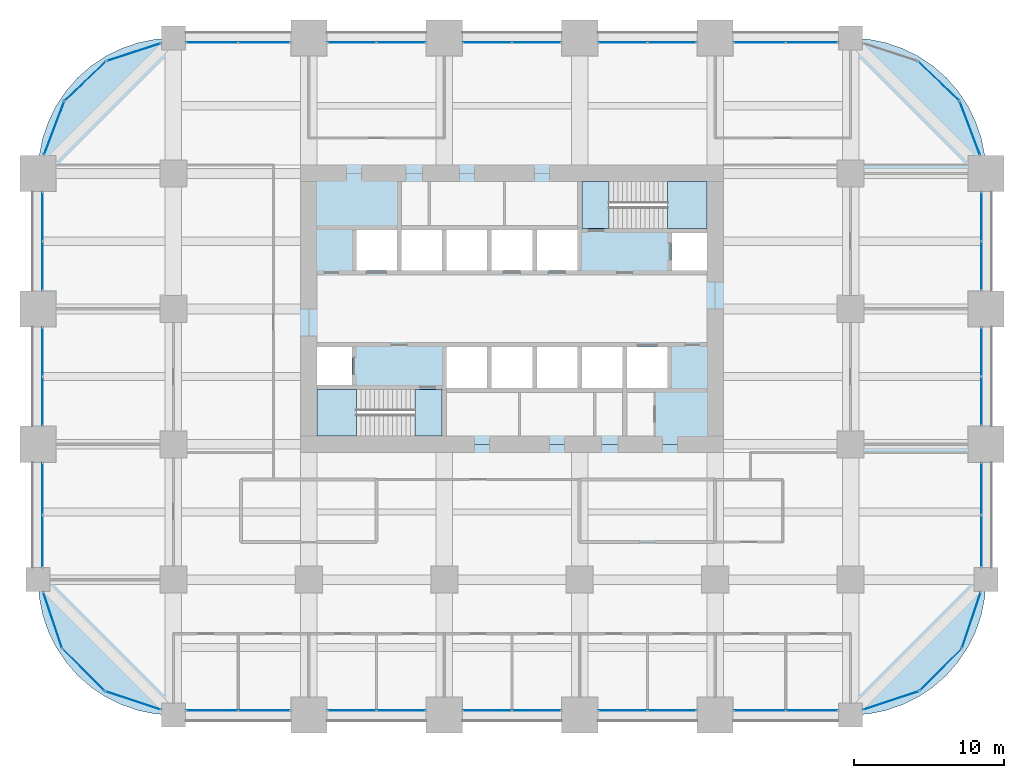
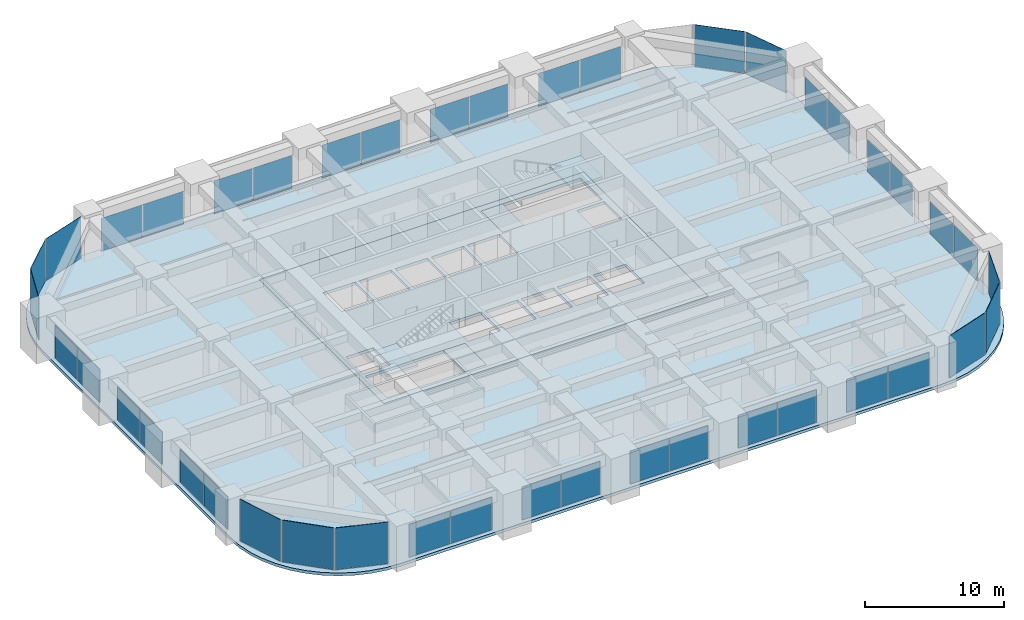
# One storey, part 35 of 40: 43 plates, 6 slabs, 29 elements without a shape of their own.
"""IFC4 building model written with IfcOpenShell, lengths in metres."""

from ifc_helpers import new_model, si_unit, direction, frame, origin, origin_2d, place, context, subcontext, project, spatial, polyline, rectangle, outline, extrude, material, layer, layer_set, type_object, element, aggregate, save


model = new_model("IFC4")

# Units and contexts
model_context = context("Model", 3, precision=1e-05, world=origin(), true_north=direction((0.0, 1.0)))
body_context = subcontext(model_context, "Body", "Model", "MODEL_VIEW")
ifc_project = project(units=[si_unit("LENGTHUNIT", "METRE"), si_unit("AREAUNIT", "SQUARE_METRE"), si_unit("VOLUMEUNIT", "CUBIC_METRE"), si_unit("PLANEANGLEUNIT", "RADIAN"), si_unit("MASSUNIT", "GRAM", prefix="KILO")], contexts=[model_context])

# Site, building, storey
site_placement = place(None, origin())
site = spatial("IfcSite", under=ifc_project, at=site_placement, CompositionType="ELEMENT")
building_placement = place(site_placement, origin())
building = spatial("IfcBuilding", under=site, at=building_placement, Name="Zorevar Civic Tower", CompositionType="ELEMENT")
storey_placement = place(building_placement, frame((0.0, 0.0, 129.0)))
storey = spatial("IfcBuildingStorey", under=building, at=storey_placement, Name="L31", CompositionType="ELEMENT", Elevation=129.0)

# Curtain wall, plates
ifc_material_1 = material(Name="Dark grey solar-control glass in black aluminium frame", Category="aluminium")
curtain_wall_type = type_object("IfcCurtainWallType", Name="Curtain wall CW3 mid zone", PredefinedType="NOTDEFINED", material=ifc_material_1)
curtain_wall_1_placement = place(storey_placement, origin())
curtain_wall_1 = element("IfcCurtainWall", 1, at=curtain_wall_1_placement, inside=storey, type_object=curtain_wall_type, Name="CW3 L31", PredefinedType="NOTDEFINED")
ifc_material_2 = material(Name="Dark grey solar-control glass", Category="glass")
ifc_layer_1 = layer(ifc_material_2, 0.030029296875)
ifc_layer_set_1 = layer_set([ifc_layer_1], Name="CW3 panel 30")
plate_type = type_object("IfcPlateType", Name="CW3 panel 30", PredefinedType="CURTAIN_PANEL", material=ifc_layer_set_1)
plate_1_placement = place(storey_placement, frame((11.56494140625, 0.300048828125, 0.06005859375), z_axis=(0.0, 0.0, 1.0), x_axis=(1.0, 0.0, 0.0)))
plate_1 = element("IfcPlate", 2, at=plate_1_placement, type_object=plate_type, Name="CW3 panel 1.1", PredefinedType="CURTAIN_PANEL", context=body_context, shape_type="SweptSolid", body=[
    extrude(rectangle(XDim=3.409912109375, YDim=0.030029296875, at=origin_2d()), origin(), (0.0, 0.0, 1.0), 2.889892578125),
])
plate_2_placement = place(storey_placement, frame((15.034912109375, 0.300048828125, 0.06005859375), z_axis=(0.0, 0.0, 1.0), x_axis=(1.0, 0.0, 0.0)))
plate_2 = element("IfcPlate", 3, at=plate_2_placement, type_object=plate_type, Name="CW3 panel 2.1", PredefinedType="CURTAIN_PANEL", context=body_context, shape_type="SweptSolid", body=[
    extrude(rectangle(XDim=3.409912109375, YDim=0.030029296875, at=origin_2d()), origin(), (0.0, 0.0, 1.0), 2.889892578125),
])
aggregate(curtain_wall_1, [plate_1, plate_2])

curtain_wall_2_placement = place(storey_placement, origin())
curtain_wall_2 = element("IfcCurtainWall", 4, at=curtain_wall_2_placement, inside=storey, type_object=curtain_wall_type, Name="CW3 L31", PredefinedType="NOTDEFINED")
plate_3_placement = place(storey_placement, frame((11.56494140625, 44.699951171875, 0.06005859375), z_axis=(0.0, 0.0, 1.0), x_axis=(1.0, 0.0, 0.0)))
plate_3 = element("IfcPlate", 5, at=plate_3_placement, type_object=plate_type, Name="CW3 panel 1.1", PredefinedType="CURTAIN_PANEL", context=body_context, shape_type="SweptSolid", body=[
    extrude(rectangle(XDim=3.409912109375, YDim=0.030029296875, at=origin_2d()), origin(), (0.0, 0.0, 1.0), 2.889892578125),
])
plate_4_placement = place(storey_placement, frame((15.034912109375, 44.699951171875, 0.06005859375), z_axis=(0.0, 0.0, 1.0), x_axis=(1.0, 0.0, 0.0)))
plate_4 = element("IfcPlate", 6, at=plate_4_placement, type_object=plate_type, Name="CW3 panel 2.1", PredefinedType="CURTAIN_PANEL", context=body_context, shape_type="SweptSolid", body=[
    extrude(rectangle(XDim=3.409912109375, YDim=0.030029296875, at=origin_2d()), origin(), (0.0, 0.0, 1.0), 2.889892578125),
])
aggregate(curtain_wall_2, [plate_3, plate_4])

curtain_wall_3_placement = place(storey_placement, origin())
curtain_wall_3 = element("IfcCurtainWall", 7, at=curtain_wall_3_placement, inside=storey, type_object=curtain_wall_type, Name="CW3 L31", PredefinedType="NOTDEFINED")
plate_5_placement = place(storey_placement, frame((20.864990234375, 0.300048828125, 0.06005859375), z_axis=(0.0, 0.0, 1.0), x_axis=(1.0, 0.0, 0.0)))
plate_5 = element("IfcPlate", 8, at=plate_5_placement, type_object=plate_type, Name="CW3 panel 1.1", PredefinedType="CURTAIN_PANEL", context=body_context, shape_type="SweptSolid", body=[
    extrude(rectangle(XDim=3.2099609375, YDim=0.030029296875, at=origin_2d()), origin(), (0.0, 0.0, 1.0), 2.889892578125),
])
plate_6_placement = place(storey_placement, frame((24.135009765625, 0.300048828125, 0.06005859375), z_axis=(0.0, 0.0, 1.0), x_axis=(1.0, 0.0, 0.0)))
plate_6 = element("IfcPlate", 9, at=plate_6_placement, type_object=plate_type, Name="CW3 panel 2.1", PredefinedType="CURTAIN_PANEL", context=body_context, shape_type="SweptSolid", body=[
    extrude(rectangle(XDim=3.2099609375, YDim=0.030029296875, at=origin_2d()), origin(), (0.0, 0.0, 1.0), 2.889892578125),
])
aggregate(curtain_wall_3, [plate_5, plate_6])

curtain_wall_4_placement = place(storey_placement, origin())
curtain_wall_4 = element("IfcCurtainWall", 10, at=curtain_wall_4_placement, inside=storey, type_object=curtain_wall_type, Name="CW3 L31", PredefinedType="NOTDEFINED")
plate_7_placement = place(storey_placement, frame((20.864990234375, 44.699951171875, 0.06005859375), z_axis=(0.0, 0.0, 1.0), x_axis=(1.0, 0.0, 0.0)))
plate_7 = element("IfcPlate", 11, at=plate_7_placement, type_object=plate_type, Name="CW3 panel 1.1", PredefinedType="CURTAIN_PANEL", context=body_context, shape_type="SweptSolid", body=[
    extrude(rectangle(XDim=3.2099609375, YDim=0.030029296875, at=origin_2d()), origin(), (0.0, 0.0, 1.0), 2.889892578125),
])
plate_8_placement = place(storey_placement, frame((24.135009765625, 44.699951171875, 0.06005859375), z_axis=(0.0, 0.0, 1.0), x_axis=(1.0, 0.0, 0.0)))
plate_8 = element("IfcPlate", 12, at=plate_8_placement, type_object=plate_type, Name="CW3 panel 2.1", PredefinedType="CURTAIN_PANEL", context=body_context, shape_type="SweptSolid", body=[
    extrude(rectangle(XDim=3.2099609375, YDim=0.030029296875, at=origin_2d()), origin(), (0.0, 0.0, 1.0), 2.889892578125),
])
aggregate(curtain_wall_4, [plate_7, plate_8])

curtain_wall_5_placement = place(storey_placement, origin())
curtain_wall_5 = element("IfcCurtainWall", 13, at=curtain_wall_5_placement, inside=storey, type_object=curtain_wall_type, Name="CW3 L31", PredefinedType="NOTDEFINED")
plate_9_placement = place(storey_placement, frame((29.864990234375, 0.300048828125, 0.06005859375), z_axis=(0.0, 0.0, 1.0), x_axis=(1.0, 0.0, 0.0)))
plate_9 = element("IfcPlate", 14, at=plate_9_placement, type_object=plate_type, Name="CW3 panel 1.1", PredefinedType="CURTAIN_PANEL", context=body_context, shape_type="SweptSolid", body=[
    extrude(rectangle(XDim=3.2099609375, YDim=0.030029296875, at=origin_2d()), origin(), (0.0, 0.0, 1.0), 2.889892578125),
])
plate_10_placement = place(storey_placement, frame((33.135009765625, 0.300048828125, 0.06005859375), z_axis=(0.0, 0.0, 1.0), x_axis=(1.0, 0.0, 0.0)))
plate_10 = element("IfcPlate", 15, at=plate_10_placement, type_object=plate_type, Name="CW3 panel 2.1", PredefinedType="CURTAIN_PANEL", context=body_context, shape_type="SweptSolid", body=[
    extrude(rectangle(XDim=3.2099609375, YDim=0.030029296875, at=origin_2d()), origin(), (0.0, 0.0, 1.0), 2.889892578125),
])
aggregate(curtain_wall_5, [plate_9, plate_10])

curtain_wall_6_placement = place(storey_placement, origin())
curtain_wall_6 = element("IfcCurtainWall", 16, at=curtain_wall_6_placement, inside=storey, type_object=curtain_wall_type, Name="CW3 L31", PredefinedType="NOTDEFINED")
plate_11_placement = place(storey_placement, frame((29.864990234375, 44.699951171875, 0.06005859375), z_axis=(0.0, 0.0, 1.0), x_axis=(1.0, 0.0, 0.0)))
plate_11 = element("IfcPlate", 17, at=plate_11_placement, type_object=plate_type, Name="CW3 panel 1.1", PredefinedType="CURTAIN_PANEL", context=body_context, shape_type="SweptSolid", body=[
    extrude(rectangle(XDim=3.2099609375, YDim=0.030029296875, at=origin_2d()), origin(), (0.0, 0.0, 1.0), 2.889892578125),
])
plate_12_placement = place(storey_placement, frame((33.135009765625, 44.699951171875, 0.06005859375), z_axis=(0.0, 0.0, 1.0), x_axis=(1.0, 0.0, 0.0)))
plate_12 = element("IfcPlate", 18, at=plate_12_placement, type_object=plate_type, Name="CW3 panel 2.1", PredefinedType="CURTAIN_PANEL", context=body_context, shape_type="SweptSolid", body=[
    extrude(rectangle(XDim=3.2099609375, YDim=0.030029296875, at=origin_2d()), origin(), (0.0, 0.0, 1.0), 2.889892578125),
])
aggregate(curtain_wall_6, [plate_11, plate_12])

curtain_wall_7_placement = place(storey_placement, origin())
curtain_wall_7 = element("IfcCurtainWall", 19, at=curtain_wall_7_placement, inside=storey, type_object=curtain_wall_type, Name="CW3 L31", PredefinedType="NOTDEFINED")
plate_13_placement = place(storey_placement, frame((38.864990234375, 0.300048828125, 0.06005859375), z_axis=(0.0, 0.0, 1.0), x_axis=(1.0, 0.0, 0.0)))
plate_13 = element("IfcPlate", 20, at=plate_13_placement, type_object=plate_type, Name="CW3 panel 1.1", PredefinedType="CURTAIN_PANEL", context=body_context, shape_type="SweptSolid", body=[
    extrude(rectangle(XDim=3.2099609375, YDim=0.030029296875, at=origin_2d()), origin(), (0.0, 0.0, 1.0), 2.889892578125),
])
plate_14_placement = place(storey_placement, frame((42.135009765625, 0.300048828125, 0.06005859375), z_axis=(0.0, 0.0, 1.0), x_axis=(1.0, 0.0, 0.0)))
plate_14 = element("IfcPlate", 21, at=plate_14_placement, type_object=plate_type, Name="CW3 panel 2.1", PredefinedType="CURTAIN_PANEL", context=body_context, shape_type="SweptSolid", body=[
    extrude(rectangle(XDim=3.2099609375, YDim=0.030029296875, at=origin_2d()), origin(), (0.0, 0.0, 1.0), 2.889892578125),
])
aggregate(curtain_wall_7, [plate_13, plate_14])

curtain_wall_8_placement = place(storey_placement, origin())
curtain_wall_8 = element("IfcCurtainWall", 22, at=curtain_wall_8_placement, inside=storey, type_object=curtain_wall_type, Name="CW3 L31", PredefinedType="NOTDEFINED")
plate_15_placement = place(storey_placement, frame((38.864990234375, 44.699951171875, 0.06005859375), z_axis=(0.0, 0.0, 1.0), x_axis=(1.0, 0.0, 0.0)))
plate_15 = element("IfcPlate", 23, at=plate_15_placement, type_object=plate_type, Name="CW3 panel 1.1", PredefinedType="CURTAIN_PANEL", context=body_context, shape_type="SweptSolid", body=[
    extrude(rectangle(XDim=3.2099609375, YDim=0.030029296875, at=origin_2d()), origin(), (0.0, 0.0, 1.0), 2.889892578125),
])
plate_16_placement = place(storey_placement, frame((42.135009765625, 44.699951171875, 0.06005859375), z_axis=(0.0, 0.0, 1.0), x_axis=(1.0, 0.0, 0.0)))
plate_16 = element("IfcPlate", 24, at=plate_16_placement, type_object=plate_type, Name="CW3 panel 2.1", PredefinedType="CURTAIN_PANEL", context=body_context, shape_type="SweptSolid", body=[
    extrude(rectangle(XDim=3.2099609375, YDim=0.030029296875, at=origin_2d()), origin(), (0.0, 0.0, 1.0), 2.889892578125),
])
aggregate(curtain_wall_8, [plate_15, plate_16])

curtain_wall_9_placement = place(storey_placement, origin())
curtain_wall_9 = element("IfcCurtainWall", 25, at=curtain_wall_9_placement, inside=storey, type_object=curtain_wall_type, Name="CW3 L31", PredefinedType="NOTDEFINED")
plate_17_placement = place(storey_placement, frame((47.965087890625, 0.300048828125, 0.06005859375), z_axis=(0.0, 0.0, 1.0), x_axis=(1.0, 0.0, 0.0)))
plate_17 = element("IfcPlate", 26, at=plate_17_placement, type_object=plate_type, Name="CW3 panel 1.1", PredefinedType="CURTAIN_PANEL", context=body_context, shape_type="SweptSolid", body=[
    extrude(rectangle(XDim=3.409912109375, YDim=0.030029296875, at=origin_2d()), origin(), (0.0, 0.0, 1.0), 2.889892578125),
])
plate_18_placement = place(storey_placement, frame((51.43505859375, 0.300048828125, 0.06005859375), z_axis=(0.0, 0.0, 1.0), x_axis=(1.0, 0.0, 0.0)))
plate_18 = element("IfcPlate", 27, at=plate_18_placement, type_object=plate_type, Name="CW3 panel 2.1", PredefinedType="CURTAIN_PANEL", context=body_context, shape_type="SweptSolid", body=[
    extrude(rectangle(XDim=3.409912109375, YDim=0.030029296875, at=origin_2d()), origin(), (0.0, 0.0, 1.0), 2.889892578125),
])
aggregate(curtain_wall_9, [plate_17, plate_18])

curtain_wall_10_placement = place(storey_placement, origin())
curtain_wall_10 = element("IfcCurtainWall", 28, at=curtain_wall_10_placement, inside=storey, type_object=curtain_wall_type, Name="CW3 L31", PredefinedType="NOTDEFINED")
plate_19_placement = place(storey_placement, frame((47.965087890625, 44.699951171875, 0.06005859375), z_axis=(0.0, 0.0, 1.0), x_axis=(1.0, 0.0, 0.0)))
plate_19 = element("IfcPlate", 29, at=plate_19_placement, type_object=plate_type, Name="CW3 panel 1.1", PredefinedType="CURTAIN_PANEL", context=body_context, shape_type="SweptSolid", body=[
    extrude(rectangle(XDim=3.409912109375, YDim=0.030029296875, at=origin_2d()), origin(), (0.0, 0.0, 1.0), 2.889892578125),
])
plate_20_placement = place(storey_placement, frame((51.43505859375, 44.699951171875, 0.06005859375), z_axis=(0.0, 0.0, 1.0), x_axis=(1.0, 0.0, 0.0)))
plate_20 = element("IfcPlate", 30, at=plate_20_placement, type_object=plate_type, Name="CW3 panel 2.1", PredefinedType="CURTAIN_PANEL", context=body_context, shape_type="SweptSolid", body=[
    extrude(rectangle(XDim=3.409912109375, YDim=0.030029296875, at=origin_2d()), origin(), (0.0, 0.0, 1.0), 2.889892578125),
])
aggregate(curtain_wall_10, [plate_19, plate_20])

curtain_wall_11_placement = place(storey_placement, origin())
curtain_wall_11 = element("IfcCurtainWall", 31, at=curtain_wall_11_placement, inside=storey, type_object=curtain_wall_type, Name="CW3 L31", PredefinedType="NOTDEFINED")
plate_21_placement = place(storey_placement, frame((0.300048828125, 11.56494140625, 0.06005859375), z_axis=(0.0, 0.0, 1.0), x_axis=(0.0, 1.0, 0.0)))
plate_21 = element("IfcPlate", 32, at=plate_21_placement, type_object=plate_type, Name="CW3 panel 1.1", PredefinedType="CURTAIN_PANEL", context=body_context, shape_type="SweptSolid", body=[
    extrude(rectangle(XDim=3.409912109375, YDim=0.030029296875, at=origin_2d()), origin(), (0.0, 0.0, 1.0), 2.889892578125),
])
plate_22_placement = place(storey_placement, frame((0.300048828125, 15.034912109375, 0.06005859375), z_axis=(0.0, 0.0, 1.0), x_axis=(0.0, 1.0, 0.0)))
plate_22 = element("IfcPlate", 33, at=plate_22_placement, type_object=plate_type, Name="CW3 panel 2.1", PredefinedType="CURTAIN_PANEL", context=body_context, shape_type="SweptSolid", body=[
    extrude(rectangle(XDim=3.409912109375, YDim=0.030029296875, at=origin_2d()), origin(), (0.0, 0.0, 1.0), 2.889892578125),
])
aggregate(curtain_wall_11, [plate_21, plate_22])

curtain_wall_12_placement = place(storey_placement, origin())
curtain_wall_12 = element("IfcCurtainWall", 34, at=curtain_wall_12_placement, inside=storey, type_object=curtain_wall_type, Name="CW3 L31", PredefinedType="NOTDEFINED")
plate_23_placement = place(storey_placement, frame((62.699951171875, 11.56494140625, 0.06005859375), z_axis=(0.0, 0.0, 1.0), x_axis=(0.0, 1.0, 0.0)))
plate_23 = element("IfcPlate", 35, at=plate_23_placement, type_object=plate_type, Name="CW3 panel 1.1", PredefinedType="CURTAIN_PANEL", context=body_context, shape_type="SweptSolid", body=[
    extrude(rectangle(XDim=3.409912109375, YDim=0.030029296875, at=origin_2d()), origin(), (0.0, 0.0, 1.0), 2.889892578125),
])
plate_24_placement = place(storey_placement, frame((62.699951171875, 15.034912109375, 0.06005859375), z_axis=(0.0, 0.0, 1.0), x_axis=(0.0, 1.0, 0.0)))
plate_24 = element("IfcPlate", 36, at=plate_24_placement, type_object=plate_type, Name="CW3 panel 2.1", PredefinedType="CURTAIN_PANEL", context=body_context, shape_type="SweptSolid", body=[
    extrude(rectangle(XDim=3.409912109375, YDim=0.030029296875, at=origin_2d()), origin(), (0.0, 0.0, 1.0), 2.889892578125),
])
aggregate(curtain_wall_12, [plate_23, plate_24])

curtain_wall_13_placement = place(storey_placement, origin())
curtain_wall_13 = element("IfcCurtainWall", 37, at=curtain_wall_13_placement, inside=storey, type_object=curtain_wall_type, Name="CW3 L31", PredefinedType="NOTDEFINED")
plate_25_placement = place(storey_placement, frame((0.300048828125, 20.864990234375, 0.06005859375), z_axis=(0.0, 0.0, 1.0), x_axis=(0.0, 1.0, 0.0)))
plate_25 = element("IfcPlate", 38, at=plate_25_placement, type_object=plate_type, Name="CW3 panel 1.1", PredefinedType="CURTAIN_PANEL", context=body_context, shape_type="SweptSolid", body=[
    extrude(rectangle(XDim=3.2099609375, YDim=0.030029296875, at=origin_2d()), origin(), (0.0, 0.0, 1.0), 2.889892578125),
])
plate_26_placement = place(storey_placement, frame((0.300048828125, 24.135009765625, 0.06005859375), z_axis=(0.0, 0.0, 1.0), x_axis=(0.0, 1.0, 0.0)))
plate_26 = element("IfcPlate", 39, at=plate_26_placement, type_object=plate_type, Name="CW3 panel 2.1", PredefinedType="CURTAIN_PANEL", context=body_context, shape_type="SweptSolid", body=[
    extrude(rectangle(XDim=3.2099609375, YDim=0.030029296875, at=origin_2d()), origin(), (0.0, 0.0, 1.0), 2.889892578125),
])
aggregate(curtain_wall_13, [plate_25, plate_26])

curtain_wall_14_placement = place(storey_placement, origin())
curtain_wall_14 = element("IfcCurtainWall", 40, at=curtain_wall_14_placement, inside=storey, type_object=curtain_wall_type, Name="CW3 L31", PredefinedType="NOTDEFINED")
plate_27_placement = place(storey_placement, frame((62.699951171875, 20.864990234375, 0.06005859375), z_axis=(0.0, 0.0, 1.0), x_axis=(0.0, 1.0, 0.0)))
plate_27 = element("IfcPlate", 41, at=plate_27_placement, type_object=plate_type, Name="CW3 panel 1.1", PredefinedType="CURTAIN_PANEL", context=body_context, shape_type="SweptSolid", body=[
    extrude(rectangle(XDim=3.2099609375, YDim=0.030029296875, at=origin_2d()), origin(), (0.0, 0.0, 1.0), 2.889892578125),
])
plate_28_placement = place(storey_placement, frame((62.699951171875, 24.135009765625, 0.06005859375), z_axis=(0.0, 0.0, 1.0), x_axis=(0.0, 1.0, 0.0)))
plate_28 = element("IfcPlate", 42, at=plate_28_placement, type_object=plate_type, Name="CW3 panel 2.1", PredefinedType="CURTAIN_PANEL", context=body_context, shape_type="SweptSolid", body=[
    extrude(rectangle(XDim=3.2099609375, YDim=0.030029296875, at=origin_2d()), origin(), (0.0, 0.0, 1.0), 2.889892578125),
])
aggregate(curtain_wall_14, [plate_27, plate_28])

curtain_wall_15_placement = place(storey_placement, origin())
curtain_wall_15 = element("IfcCurtainWall", 43, at=curtain_wall_15_placement, inside=storey, type_object=curtain_wall_type, Name="CW3 L31", PredefinedType="NOTDEFINED")
plate_29_placement = place(storey_placement, frame((0.300048828125, 29.864990234375, 0.06005859375), z_axis=(0.0, 0.0, 1.0), x_axis=(0.0, 1.0, 0.0)))
plate_29 = element("IfcPlate", 44, at=plate_29_placement, type_object=plate_type, Name="CW3 panel 1.1", PredefinedType="CURTAIN_PANEL", context=body_context, shape_type="SweptSolid", body=[
    extrude(rectangle(XDim=3.2099609375, YDim=0.030029296875, at=origin_2d()), origin(), (0.0, 0.0, 1.0), 2.889892578125),
])
plate_30_placement = place(storey_placement, frame((0.300048828125, 33.135009765625, 0.06005859375), z_axis=(0.0, 0.0, 1.0), x_axis=(0.0, 1.0, 0.0)))
plate_30 = element("IfcPlate", 45, at=plate_30_placement, type_object=plate_type, Name="CW3 panel 2.1", PredefinedType="CURTAIN_PANEL", context=body_context, shape_type="SweptSolid", body=[
    extrude(rectangle(XDim=3.2099609375, YDim=0.030029296875, at=origin_2d()), origin(), (0.0, 0.0, 1.0), 2.889892578125),
])
aggregate(curtain_wall_15, [plate_29, plate_30])

curtain_wall_16_placement = place(storey_placement, origin())
curtain_wall_16 = element("IfcCurtainWall", 46, at=curtain_wall_16_placement, inside=storey, type_object=curtain_wall_type, Name="CW3 L31", PredefinedType="NOTDEFINED")
plate_31_placement = place(storey_placement, frame((62.699951171875, 29.864990234375, 0.06005859375), z_axis=(0.0, 0.0, 1.0), x_axis=(0.0, 1.0, 0.0)))
plate_31 = element("IfcPlate", 47, at=plate_31_placement, type_object=plate_type, Name="CW3 panel 1.1", PredefinedType="CURTAIN_PANEL", context=body_context, shape_type="SweptSolid", body=[
    extrude(rectangle(XDim=3.2099609375, YDim=0.030029296875, at=origin_2d()), origin(), (0.0, 0.0, 1.0), 2.889892578125),
])
plate_32_placement = place(storey_placement, frame((62.699951171875, 33.135009765625, 0.06005859375), z_axis=(0.0, 0.0, 1.0), x_axis=(0.0, 1.0, 0.0)))
plate_32 = element("IfcPlate", 48, at=plate_32_placement, type_object=plate_type, Name="CW3 panel 2.1", PredefinedType="CURTAIN_PANEL", context=body_context, shape_type="SweptSolid", body=[
    extrude(rectangle(XDim=3.2099609375, YDim=0.030029296875, at=origin_2d()), origin(), (0.0, 0.0, 1.0), 2.889892578125),
])
aggregate(curtain_wall_16, [plate_31, plate_32])

# Curtain wall, plate
curtain_wall_17_placement = place(storey_placement, origin())
curtain_wall_17 = element("IfcCurtainWall", 49, at=curtain_wall_17_placement, inside=storey, type_object=curtain_wall_type, Name="CW3 L31", PredefinedType="NOTDEFINED")
plate_33_placement = place(storey_placement, frame((56.689453125, 0.9697265625, 0.06005859375), z_axis=(0.0, 0.0, 1.0), x_axis=(0.948227238701, 0.317592669603, 0.0)))
plate_33 = element("IfcPlate", 50, at=plate_33_placement, type_object=plate_type, Name="CW3 panel 1.1", PredefinedType="CURTAIN_PANEL", context=body_context, shape_type="SweptSolid", body=[
    extrude(rectangle(XDim=3.865478515625, YDim=0.030029296875, at=origin_2d()), origin(), (0.0, 0.0, 1.0), 3.68994140625),
])
aggregate(curtain_wall_17, [plate_33])

curtain_wall_18_placement = place(storey_placement, origin())
curtain_wall_18 = element("IfcCurtainWall", 51, at=curtain_wall_18_placement, inside=storey, type_object=curtain_wall_type, Name="CW3 L31", PredefinedType="NOTDEFINED")
plate_34_placement = place(storey_placement, frame((59.98828125, 3.01171875, 0.06005859375), z_axis=(0.0, 0.0, 1.0), x_axis=(0.707106781187, 0.707106781187, 0.0)))
plate_34 = element("IfcPlate", 52, at=plate_34_placement, type_object=plate_type, Name="CW3 panel 1.1", PredefinedType="CURTAIN_PANEL", context=body_context, shape_type="SweptSolid", body=[
    extrude(rectangle(XDim=3.865478515625, YDim=0.030029296875, at=origin_2d()), origin(), (0.0, 0.0, 1.0), 3.68994140625),
])
aggregate(curtain_wall_18, [plate_34])

curtain_wall_19_placement = place(storey_placement, origin())
curtain_wall_19 = element("IfcCurtainWall", 53, at=curtain_wall_19_placement, inside=storey, type_object=curtain_wall_type, Name="CW3 L31", PredefinedType="NOTDEFINED")
plate_35_placement = place(storey_placement, frame((62.0302734375, 6.310546875, 0.06005859375), z_axis=(0.0, 0.0, 1.0), x_axis=(0.317592669603, 0.948227238701, 0.0)))
plate_35 = element("IfcPlate", 54, at=plate_35_placement, type_object=plate_type, Name="CW3 panel 1.1", PredefinedType="CURTAIN_PANEL", context=body_context, shape_type="SweptSolid", body=[
    extrude(rectangle(XDim=3.865478515625, YDim=0.030029296875, at=origin_2d()), origin(), (0.0, 0.0, 1.0), 3.68994140625),
])
aggregate(curtain_wall_19, [plate_35])

curtain_wall_20_placement = place(storey_placement, origin())
curtain_wall_20 = element("IfcCurtainWall", 55, at=curtain_wall_20_placement, inside=storey, type_object=curtain_wall_type, Name="CW3 L31", PredefinedType="NOTDEFINED")
plate_36_placement = place(storey_placement, frame((61.9345703125, 39.002685546875, 0.06005859375), z_axis=(0.0, 0.0, 1.0), x_axis=(-0.353917722218, 0.935276561184, 0.0)))
plate_36 = element("IfcPlate", 56, at=plate_36_placement, type_object=plate_type, Name="CW3 panel 1.1", PredefinedType="CURTAIN_PANEL", context=body_context, shape_type="SweptSolid", body=[
    extrude(rectangle(XDim=3.734619140625, YDim=0.030029296875, at=origin_2d()), origin(), (0.0, 0.0, 1.0), 3.68994140625),
])
aggregate(curtain_wall_20, [plate_36])

curtain_wall_21_placement = place(storey_placement, origin())
curtain_wall_21 = element("IfcCurtainWall", 57, at=curtain_wall_21_placement, inside=storey, type_object=curtain_wall_type, Name="CW3 L31", PredefinedType="NOTDEFINED")
plate_37_placement = place(storey_placement, frame((59.8583984375, 42.13623046875, 0.06005859375), z_axis=(0.0, 0.0, 1.0), x_axis=(-0.723289117983, 0.690545329292, 0.0)))
plate_37 = element("IfcPlate", 58, at=plate_37_placement, type_object=plate_type, Name="CW3 panel 1.1", PredefinedType="CURTAIN_PANEL", context=body_context, shape_type="SweptSolid", body=[
    extrude(rectangle(XDim=3.734619140625, YDim=0.030029296875, at=origin_2d()), origin(), (0.0, 0.0, 1.0), 3.68994140625),
])
aggregate(curtain_wall_21, [plate_37])

curtain_wall_22_placement = place(storey_placement, origin())
curtain_wall_22 = element("IfcCurtainWall", 59, at=curtain_wall_22_placement, inside=storey, type_object=curtain_wall_type, Name="CW3 L31", PredefinedType="NOTDEFINED")
plate_38_placement = place(storey_placement, frame((6.36767578125, 44.065185546875, 0.06005859375), z_axis=(0.0, 0.0, 1.0), x_axis=(-0.950650706548, -0.310263169163, 0.0)))
plate_38 = element("IfcPlate", 60, at=plate_38_placement, type_object=plate_type, Name="CW3 panel 1.1", PredefinedType="CURTAIN_PANEL", context=body_context, shape_type="SweptSolid", body=[
    extrude(rectangle(XDim=3.734619140625, YDim=0.030029296875, at=origin_2d()), origin(), (0.0, 0.0, 1.0), 3.68994140625),
])
aggregate(curtain_wall_22, [plate_38])

curtain_wall_23_placement = place(storey_placement, origin())
curtain_wall_23 = element("IfcCurtainWall", 61, at=curtain_wall_23_placement, inside=storey, type_object=curtain_wall_type, Name="CW3 L31", PredefinedType="NOTDEFINED")
plate_39_placement = place(storey_placement, frame((3.1416015625, 42.13623046875, 0.06005859375), z_axis=(0.0, 0.0, 1.0), x_axis=(-0.723289117983, -0.690545329292, 0.0)))
plate_39 = element("IfcPlate", 62, at=plate_39_placement, type_object=plate_type, Name="CW3 panel 1.1", PredefinedType="CURTAIN_PANEL", context=body_context, shape_type="SweptSolid", body=[
    extrude(rectangle(XDim=3.734619140625, YDim=0.030029296875, at=origin_2d()), origin(), (0.0, 0.0, 1.0), 3.68994140625),
])
aggregate(curtain_wall_23, [plate_39])

curtain_wall_24_placement = place(storey_placement, origin())
curtain_wall_24 = element("IfcCurtainWall", 63, at=curtain_wall_24_placement, inside=storey, type_object=curtain_wall_type, Name="CW3 L31", PredefinedType="NOTDEFINED")
plate_40_placement = place(storey_placement, frame((1.0654296875, 39.002685546875, 0.06005859375), z_axis=(0.0, 0.0, 1.0), x_axis=(-0.353917722218, -0.935276561184, 0.0)))
plate_40 = element("IfcPlate", 64, at=plate_40_placement, type_object=plate_type, Name="CW3 panel 1.1", PredefinedType="CURTAIN_PANEL", context=body_context, shape_type="SweptSolid", body=[
    extrude(rectangle(XDim=3.734619140625, YDim=0.030029296875, at=origin_2d()), origin(), (0.0, 0.0, 1.0), 3.68994140625),
])
aggregate(curtain_wall_24, [plate_40])

curtain_wall_25_placement = place(storey_placement, origin())
curtain_wall_25 = element("IfcCurtainWall", 65, at=curtain_wall_25_placement, inside=storey, type_object=curtain_wall_type, Name="CW3 L31", PredefinedType="NOTDEFINED")
plate_41_placement = place(storey_placement, frame((0.9697265625, 6.310546875, 0.06005859375), z_axis=(0.0, 0.0, 1.0), x_axis=(0.317592669603, -0.948227238701, 0.0)))
plate_41 = element("IfcPlate", 66, at=plate_41_placement, type_object=plate_type, Name="CW3 panel 1.1", PredefinedType="CURTAIN_PANEL", context=body_context, shape_type="SweptSolid", body=[
    extrude(rectangle(XDim=3.865478515625, YDim=0.030029296875, at=origin_2d()), origin(), (0.0, 0.0, 1.0), 3.68994140625),
])
aggregate(curtain_wall_25, [plate_41])

curtain_wall_26_placement = place(storey_placement, origin())
curtain_wall_26 = element("IfcCurtainWall", 67, at=curtain_wall_26_placement, inside=storey, type_object=curtain_wall_type, Name="CW3 L31", PredefinedType="NOTDEFINED")
plate_42_placement = place(storey_placement, frame((3.01171875, 3.01171875, 0.06005859375), z_axis=(0.0, 0.0, 1.0), x_axis=(0.707106781187, -0.707106781187, 0.0)))
plate_42 = element("IfcPlate", 68, at=plate_42_placement, type_object=plate_type, Name="CW3 panel 1.1", PredefinedType="CURTAIN_PANEL", context=body_context, shape_type="SweptSolid", body=[
    extrude(rectangle(XDim=3.865478515625, YDim=0.030029296875, at=origin_2d()), origin(), (0.0, 0.0, 1.0), 3.68994140625),
])
aggregate(curtain_wall_26, [plate_42])

curtain_wall_27_placement = place(storey_placement, origin())
curtain_wall_27 = element("IfcCurtainWall", 69, at=curtain_wall_27_placement, inside=storey, type_object=curtain_wall_type, Name="CW3 L31", PredefinedType="NOTDEFINED")
plate_43_placement = place(storey_placement, frame((6.310546875, 0.9697265625, 0.06005859375), z_axis=(0.0, 0.0, 1.0), x_axis=(0.948227238701, -0.317592669603, 0.0)))
plate_43 = element("IfcPlate", 70, at=plate_43_placement, type_object=plate_type, Name="CW3 panel 1.1", PredefinedType="CURTAIN_PANEL", context=body_context, shape_type="SweptSolid", body=[
    extrude(rectangle(XDim=3.865478515625, YDim=0.030029296875, at=origin_2d()), origin(), (0.0, 0.0, 1.0), 3.68994140625),
])
aggregate(curtain_wall_27, [plate_43])

# Slabs
ifc_material_3 = material(Name="Concrete C40/50", Category="concrete")
ifc_layer_2 = layer(ifc_material_3, 0.25)
ifc_layer_set_2 = layer_set([ifc_layer_2], Name="Floor slab 250")
slab_type_1 = type_object("IfcSlabType", Name="Floor slab 250", PredefinedType="FLOOR", material=ifc_layer_set_2)
slab_1_placement = place(storey_placement, frame((0.0, 0.0, -0.25)))
element("IfcSlab", 71, at=slab_1_placement, inside=storey, type_object=slab_type_1, Name="Floor slab L31", PredefinedType="FLOOR", context=body_context, shape_type="SweptSolid", body=[
    extrude(outline(polyline([(54.0, 0.0), (55.1748046875, 0.076904296875), (56.329345703125, 0.306640625), (57.444091796875, 0.68505859375), (58.5, 1.205810546875), (59.478759765625, 1.85986328125), (60.364013671875, 2.635986328125), (61.14013671875, 3.521240234375), (61.794189453125, 4.5), (62.31494140625, 5.555908203125), (62.693359375, 6.670654296875), (62.923095703125, 7.8251953125), (63.0, 9.0), (63.0, 36.0), (62.923095703125, 37.1748046875), (62.693359375, 38.329345703125), (62.31494140625, 39.444091796875), (61.794189453125, 40.5), (61.14013671875, 41.478759765625), (60.364013671875, 42.364013671875), (59.478759765625, 43.14013671875), (58.5, 43.794189453125), (57.444091796875, 44.31494140625), (56.329345703125, 44.693359375), (55.1748046875, 44.923095703125), (54.0, 45.0), (9.0, 45.0), (7.8251953125, 44.923095703125), (6.670654296875, 44.693359375), (5.555908203125, 44.31494140625), (4.5, 43.794189453125), (3.521240234375, 43.14013671875), (2.635986328125, 42.364013671875), (1.85986328125, 41.478759765625), (1.205810546875, 40.5), (0.68505859375, 39.444091796875), (0.306640625, 38.329345703125), (0.076904296875, 37.1748046875), (0.0, 36.0), (0.0, 9.0), (0.076904296875, 7.8251953125), (0.306640625, 6.670654296875), (0.68505859375, 5.555908203125), (1.205810546875, 4.5), (1.85986328125, 3.521240234375), (2.635986328125, 2.635986328125), (3.521240234375, 1.85986328125), (4.5, 1.205810546875), (5.555908203125, 0.68505859375), (6.670654296875, 0.306640625), (7.8251953125, 0.076904296875), (9.0, 0.0), (54.0, 0.0)]), holes=[polyline([(18.0, 18.0), (45.0, 18.0), (45.0, 36.0), (18.0, 36.0), (18.0, 18.0)])]), origin(), (0.0, 0.0, 1.0), 0.25),
])
slab_2_placement = place(storey_placement, frame((0.0, 0.0, -0.25)))
element("IfcSlab", 72, at=slab_2_placement, inside=storey, type_object=slab_type_1, Name="Core floor L31", PredefinedType="FLOOR", context=body_context, shape_type="SweptSolid", body=[
    extrude(outline(polyline([(18.0, 18.0), (45.0, 18.0), (45.0, 36.0), (18.0, 36.0), (18.0, 18.0)]), holes=[polyline([(18.550048828125, 18.550048828125), (26.85009765625, 18.550048828125), (26.85009765625, 21.64990234375), (18.550048828125, 21.64990234375), (18.550048828125, 18.550048828125)]), polyline([(36.14990234375, 32.35009765625), (44.449951171875, 32.35009765625), (44.449951171875, 35.449951171875), (36.14990234375, 35.449951171875), (36.14990234375, 32.35009765625)]), polyline([(18.550048828125, 21.949951171875), (20.85009765625, 21.949951171875), (20.85009765625, 24.449951171875), (18.550048828125, 24.449951171875), (18.550048828125, 21.949951171875)]), polyline([(42.14990234375, 29.550048828125), (44.449951171875, 29.550048828125), (44.449951171875, 32.050048828125), (42.14990234375, 32.050048828125), (42.14990234375, 29.550048828125)]), polyline([(27.14990234375, 21.75), (29.85009765625, 21.75), (29.85009765625, 24.449951171875), (27.14990234375, 24.449951171875), (27.14990234375, 21.75)]), polyline([(33.14990234375, 29.550048828125), (35.85009765625, 29.550048828125), (35.85009765625, 32.25), (33.14990234375, 32.25), (33.14990234375, 29.550048828125)]), polyline([(30.14990234375, 21.75), (32.85009765625, 21.75), (32.85009765625, 24.449951171875), (30.14990234375, 24.449951171875), (30.14990234375, 21.75)]), polyline([(30.14990234375, 29.550048828125), (32.85009765625, 29.550048828125), (32.85009765625, 32.25), (30.14990234375, 32.25), (30.14990234375, 29.550048828125)]), polyline([(33.14990234375, 21.75), (35.85009765625, 21.75), (35.85009765625, 24.449951171875), (33.14990234375, 24.449951171875), (33.14990234375, 21.75)]), polyline([(27.14990234375, 29.550048828125), (29.85009765625, 29.550048828125), (29.85009765625, 32.25), (27.14990234375, 32.25), (27.14990234375, 29.550048828125)]), polyline([(36.14990234375, 21.75), (38.85009765625, 21.75), (38.85009765625, 24.449951171875), (36.14990234375, 24.449951171875), (36.14990234375, 21.75)]), polyline([(24.14990234375, 29.550048828125), (26.85009765625, 29.550048828125), (26.85009765625, 32.25), (24.14990234375, 32.25), (24.14990234375, 29.550048828125)]), polyline([(39.14990234375, 21.75), (41.85009765625, 21.75), (41.85009765625, 24.449951171875), (39.14990234375, 24.449951171875), (39.14990234375, 21.75)]), polyline([(21.14990234375, 29.550048828125), (23.85009765625, 29.550048828125), (23.85009765625, 32.25), (21.14990234375, 32.25), (21.14990234375, 29.550048828125)])]), origin(), (0.0, 0.0, 1.0), 0.25),
])

# Stair, slabs
ifc_material_4 = material(Name="Precast concrete C40/50", Category="concrete")
stair_type = type_object("IfcStairType", Name="Stair ST 28R", PredefinedType="HALF_TURN_STAIR", material=ifc_material_4)
stair_1_placement = place(storey_placement, origin())
stair_1 = element("IfcStair", 73, at=stair_1_placement, inside=storey, type_object=stair_type, Name="Stair ST1 L31", PredefinedType="HALF_TURN_STAIR")
ifc_material_5 = material(Name="Concrete C40/50", Category="concrete")
ifc_layer_3 = layer(ifc_material_5, 0.199951171875)
ifc_layer_set_3 = layer_set([ifc_layer_3], Name="Stair landing 200")
slab_type_2 = type_object("IfcSlabType", Name="Stair landing 200", PredefinedType="LANDING", material=ifc_layer_set_3)
slab_3_placement = place(storey_placement, frame((0.0, 0.0, -0.199951171875)))
slab_3 = element("IfcSlab", 74, at=slab_3_placement, type_object=slab_type_2, Name="ST1 landing 1", PredefinedType="LANDING", context=body_context, shape_type="SweptSolid", body=[
    extrude(outline(polyline([(25.050048828125, 18.550048828125), (26.85009765625, 18.550048828125), (26.85009765625, 21.64990234375), (25.050048828125, 21.64990234375), (25.050048828125, 18.550048828125)])), origin(), (0.0, 0.0, 1.0), 0.199951171875),
])
slab_4_placement = place(storey_placement, frame((0.0, 0.0, 1.800048828125)))
slab_4 = element("IfcSlab", 75, at=slab_4_placement, type_object=slab_type_2, Name="ST1 landing 2", PredefinedType="LANDING", context=body_context, shape_type="SweptSolid", body=[
    extrude(outline(polyline([(18.550048828125, 18.550048828125), (21.14990234375, 18.550048828125), (21.14990234375, 21.64990234375), (18.550048828125, 21.64990234375), (18.550048828125, 18.550048828125)])), origin(), (0.0, 0.0, 1.0), 0.199951171875),
])
aggregate(stair_1, [slab_3, slab_4])

stair_2_placement = place(storey_placement, origin())
stair_2 = element("IfcStair", 76, at=stair_2_placement, inside=storey, type_object=stair_type, Name="Stair ST2 L31", PredefinedType="HALF_TURN_STAIR")
slab_5_placement = place(storey_placement, frame((0.0, 0.0, -0.199951171875)))
slab_5 = element("IfcSlab", 77, at=slab_5_placement, type_object=slab_type_2, Name="ST2 landing 1", PredefinedType="LANDING", context=body_context, shape_type="SweptSolid", body=[
    extrude(outline(polyline([(37.949951171875, 32.35009765625), (36.14990234375, 32.35009765625), (36.14990234375, 35.449951171875), (37.949951171875, 35.449951171875), (37.949951171875, 32.35009765625)])), origin(), (0.0, 0.0, 1.0), 0.199951171875),
])
slab_6_placement = place(storey_placement, frame((0.0, 0.0, 1.800048828125)))
slab_6 = element("IfcSlab", 78, at=slab_6_placement, type_object=slab_type_2, Name="ST2 landing 2", PredefinedType="LANDING", context=body_context, shape_type="SweptSolid", body=[
    extrude(outline(polyline([(44.449951171875, 32.35009765625), (41.85009765625, 32.35009765625), (41.85009765625, 35.449951171875), (44.449951171875, 35.449951171875), (44.449951171875, 32.35009765625)])), origin(), (0.0, 0.0, 1.0), 0.199951171875),
])
aggregate(stair_2, [slab_5, slab_6])

save(model, "model.ifc")
